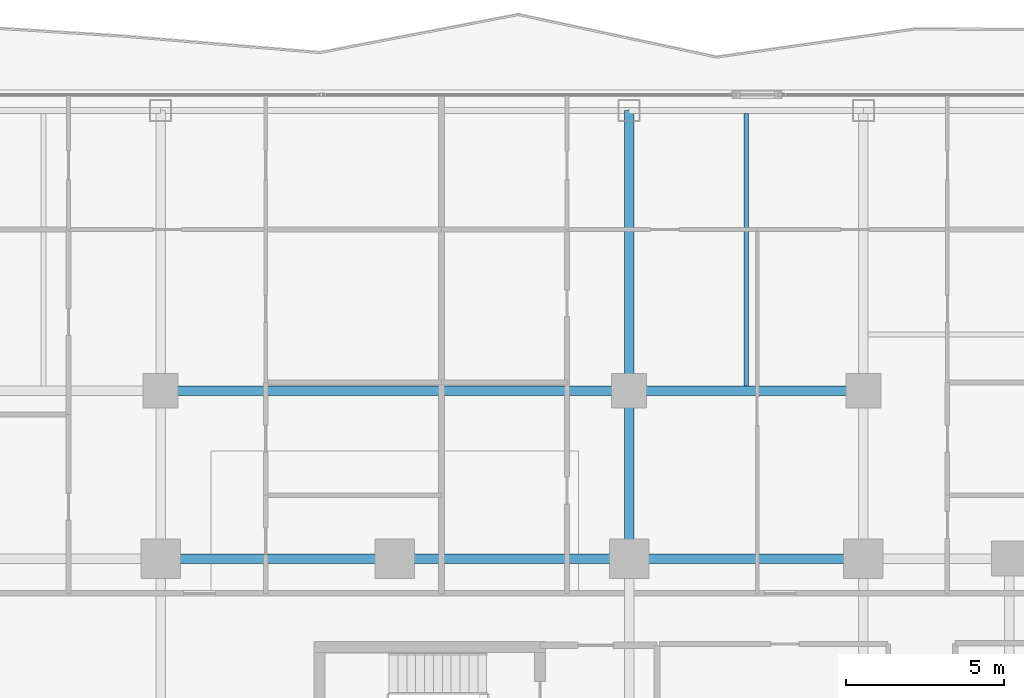
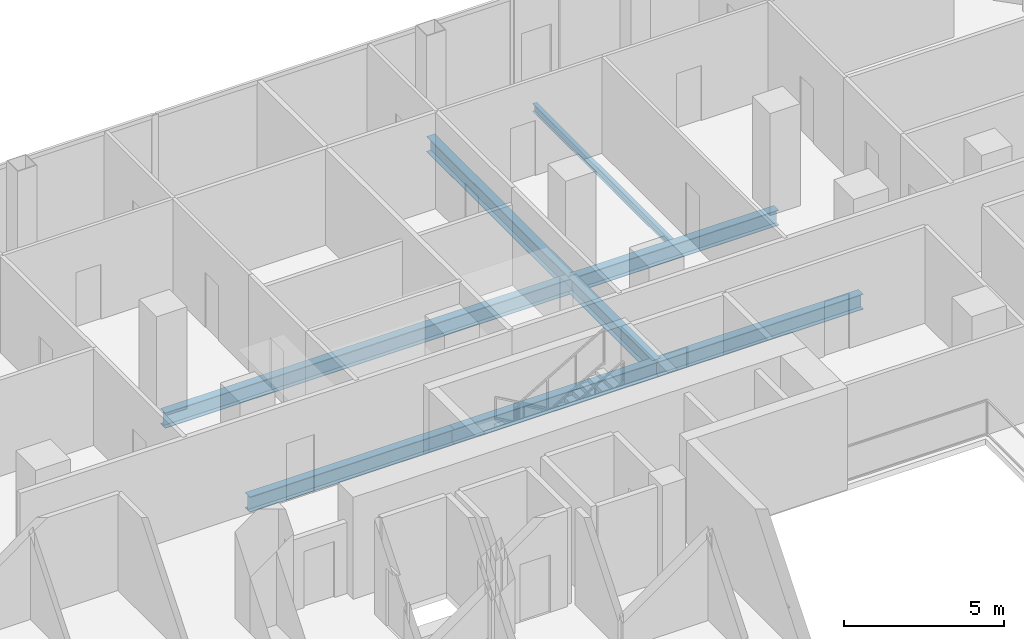
# One storey, part 13 of 27: 8 beams.
"""IFC4 building model written with IfcOpenShell, lengths in metres."""

from ifc_helpers import new_model, si_unit, direction, frame, origin, origin_2d, place, context, subcontext, project, spatial, i_section, extrude, material, material_profile, profile_set, type_object, element, save


model = new_model("IFC4")

# Units and contexts
model_context = context("Model", 3, precision=1e-05, world=origin(), true_north=direction((0.0, 1.0)))
body_context = subcontext(model_context, "Body", "Model", "MODEL_VIEW")
ifc_project = project(units=[si_unit("LENGTHUNIT", "METRE"), si_unit("AREAUNIT", "SQUARE_METRE"), si_unit("VOLUMEUNIT", "CUBIC_METRE"), si_unit("PLANEANGLEUNIT", "RADIAN"), si_unit("MASSUNIT", "GRAM", prefix="KILO")], contexts=[model_context])

# Site, building, storey
site_placement = place(None, origin())
site = spatial("IfcSite", under=ifc_project, at=site_placement, CompositionType="ELEMENT")
building_placement = place(site_placement, origin())
building = spatial("IfcBuilding", under=site, at=building_placement, Name="Khorvyn Point Tower", CompositionType="ELEMENT")
storey_placement = place(building_placement, frame((0.0, 0.0, 129.0)))
storey = spatial("IfcBuildingStorey", under=building, at=storey_placement, Name="L32", CompositionType="ELEMENT", Elevation=129.0)

# Beams
ifc_material = material(Name="Steel S355", Category="steel")
ifc_material_profile_1 = material_profile(ifc_material, i_section(OverallWidth=0.300048828125, OverallDepth=0.587890625, WebThickness=0.011962890625, FlangeThickness=0.02001953125, at=origin_2d()))
ifc_profile_set_1 = profile_set([ifc_material_profile_1], Name="Steel S355 H588x300x12x20")
beam_type_1 = type_object("IfcBeamType", Name="Steel S355 Beam H588x300x12x20", PredefinedType="BEAM", material=ifc_profile_set_1)
for number, where, z_axis, x_axis, name in (
    (1, (-7.39990234375, 14.800048828125, -0.513916015625), (1.0, 0.0, 0.0), (0.0, 1.0, 0.0), "Beam"),
    (2, (0.0, 14.800048828125, -0.513916015625), (1.0, 0.0, 0.0), (0.0, 1.0, 0.0), "Beam"),
):
    element("IfcBeam", number, at=place(storey_placement, frame(where, z_axis=z_axis, x_axis=x_axis)), inside=storey, type_object=beam_type_1, Name=name, PredefinedType="BEAM", context=body_context, shape_type="SweptSolid", body=[
        extrude(i_section(OverallWidth=0.300048828125, OverallDepth=0.587890625, WebThickness=0.011962890625, FlangeThickness=0.02001953125, at=origin_2d()), origin(), (0.0, 0.0, 1.0), 7.39990234375),
    ])
beam_1_placement = place(storey_placement, frame((7.39990234375, 14.800048828125, -0.513916015625), z_axis=(1.0, 0.0, 0.0), x_axis=(0.0, 1.0, 0.0)))
element("IfcBeam", 3, at=beam_1_placement, inside=storey, type_object=beam_type_1, Name="Beam", PredefinedType="BEAM", context=body_context, shape_type="SweptSolid", body=[
    extrude(i_section(OverallWidth=0.300048828125, OverallDepth=0.587890625, WebThickness=0.011962890625, FlangeThickness=0.02001953125, at=origin_2d()), origin(), (0.0, 0.0, 1.0), 7.400146484375),
])
beam_2_placement = place(storey_placement, frame((-7.39990234375, 20.10009765625, -0.513916015625), z_axis=(1.0, 0.0, 0.0), x_axis=(0.0, 1.0, 0.0)))
element("IfcBeam", 4, at=beam_2_placement, inside=storey, type_object=beam_type_1, Name="Beam", PredefinedType="BEAM", context=body_context, shape_type="SweptSolid", body=[
    extrude(i_section(OverallWidth=0.300048828125, OverallDepth=0.587890625, WebThickness=0.011962890625, FlangeThickness=0.02001953125, at=origin_2d()), origin(), (0.0, 0.0, 1.0), 14.7998046875),
])
beam_3_placement = place(storey_placement, frame((7.39990234375, 20.10009765625, -0.513916015625), z_axis=(1.0, 0.0, 0.0), x_axis=(0.0, 1.0, 0.0)))
element("IfcBeam", 5, at=beam_3_placement, inside=storey, type_object=beam_type_1, Name="Beam", PredefinedType="BEAM", context=body_context, shape_type="SweptSolid", body=[
    extrude(i_section(OverallWidth=0.300048828125, OverallDepth=0.587890625, WebThickness=0.011962890625, FlangeThickness=0.02001953125, at=origin_2d()), origin(), (0.0, 0.0, 1.0), 7.400146484375),
])
beam_4_placement = place(storey_placement, frame((7.39990234375, 14.800048828125, -0.513916015625), z_axis=(0.0, 1.0, 0.0), x_axis=(-1.0, 0.0, 0.0)))
element("IfcBeam", 6, at=beam_4_placement, inside=storey, type_object=beam_type_1, Name="Beam", PredefinedType="BEAM", context=body_context, shape_type="SweptSolid", body=[
    extrude(i_section(OverallWidth=0.300048828125, OverallDepth=0.587890625, WebThickness=0.011962890625, FlangeThickness=0.02001953125, at=origin_2d()), origin(), (0.0, 0.0, 1.0), 5.300048828125),
])
beam_5_placement = place(storey_placement, frame((7.39990234375, 20.10009765625, -0.513916015625), z_axis=(0.0, 1.0, 0.0), x_axis=(-1.0, 0.0, 0.0)))
element("IfcBeam", 7, at=beam_5_placement, inside=storey, type_object=beam_type_1, Name="Beam", PredefinedType="BEAM", context=body_context, shape_type="SweptSolid", body=[
    extrude(i_section(OverallWidth=0.300048828125, OverallDepth=0.587890625, WebThickness=0.011962890625, FlangeThickness=0.02001953125, at=origin_2d()), origin(), (0.0, 0.0, 1.0), 8.849853515625),
])
ifc_material_profile_2 = material_profile(ifc_material, i_section(OverallWidth=0.14990234375, OverallDepth=0.300048828125, WebThickness=0.006591796875, FlangeThickness=0.009033203125, at=origin_2d()))
ifc_profile_set_2 = profile_set([ifc_material_profile_2], Name="Steel S355 H300x150x6.5x9")
beam_type_2 = type_object("IfcBeamType", Name="Steel S355 Joist H300x150x6.5x9", PredefinedType="JOIST", material=ifc_profile_set_2)
beam_6_placement = place(storey_placement, frame((11.10009765625, 20.25, -0.3701171875), z_axis=(0.0, 1.0, 0.0), x_axis=(-1.0, 0.0, 0.0)))
element("IfcBeam", 8, at=beam_6_placement, inside=storey, type_object=beam_type_2, Name="Beam", PredefinedType="JOIST", context=body_context, shape_type="SweptSolid", body=[
    extrude(i_section(OverallWidth=0.14990234375, OverallDepth=0.300048828125, WebThickness=0.006591796875, FlangeThickness=0.009033203125, at=origin_2d()), origin(), (0.0, 0.0, 1.0), 8.60009765625),
])

save(model, "model.ifc")
